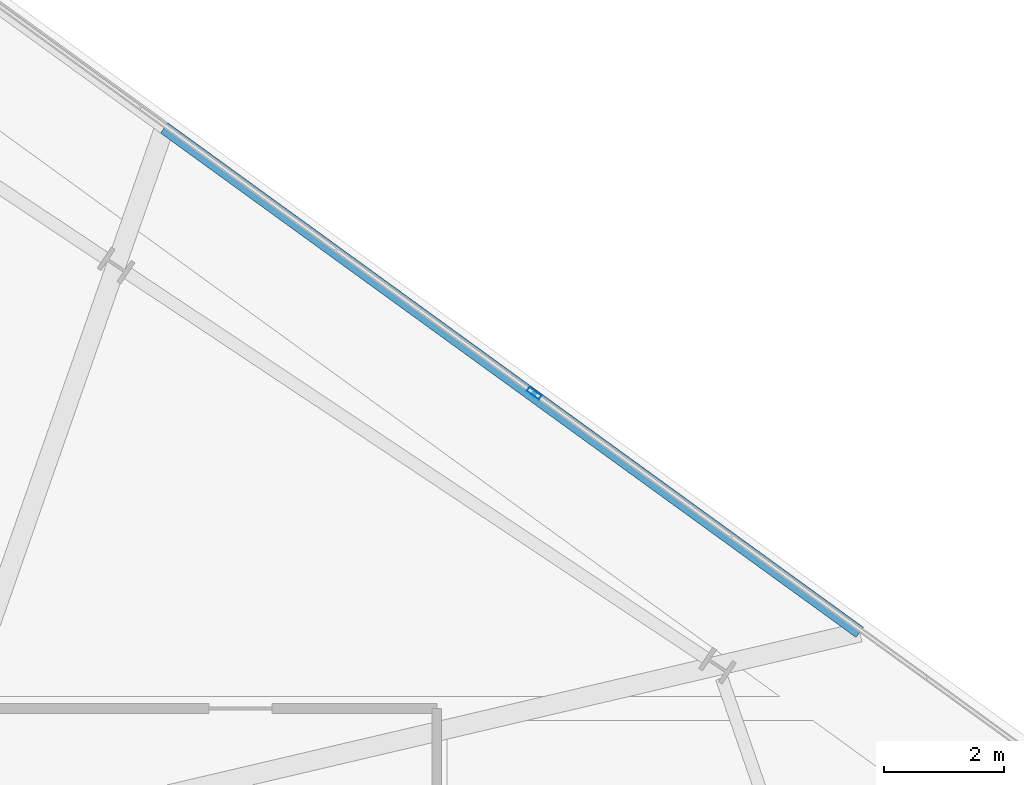
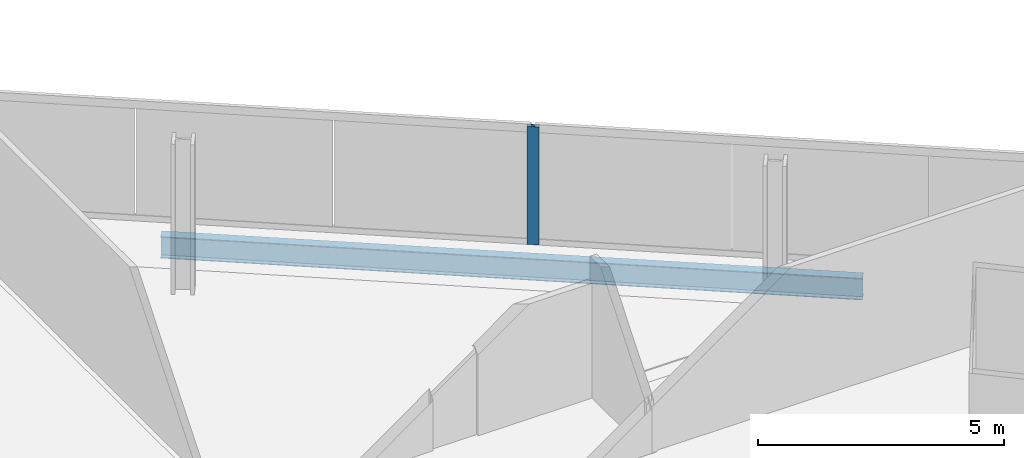
# One storey, part 18 of 29: 1 beam, 1 member, 1 element without a shape of its own.
"""IFC4 building model written with IfcOpenShell, lengths in metres."""

from ifc_helpers import new_model, si_unit, direction, frame, origin, origin_2d, place, context, subcontext, project, spatial, hollow_rectangle, i_section, extrude, material, material_profile, profile_set, type_object, element, aggregate, save


model = new_model("IFC4")

# Units and contexts
model_context = context("Model", 3, precision=1e-05, world=origin(), true_north=direction((0.0, 1.0)))
body_context = subcontext(model_context, "Body", "Model", "MODEL_VIEW")
ifc_project = project(units=[si_unit("LENGTHUNIT", "METRE"), si_unit("AREAUNIT", "SQUARE_METRE"), si_unit("VOLUMEUNIT", "CUBIC_METRE"), si_unit("PLANEANGLEUNIT", "RADIAN"), si_unit("MASSUNIT", "GRAM", prefix="KILO")], contexts=[model_context])

# Site, building, storey
site_placement = place(None, origin())
site = spatial("IfcSite", under=ifc_project, at=site_placement, CompositionType="ELEMENT")
building_placement = place(site_placement, origin())
building = spatial("IfcBuilding", under=site, at=building_placement, Name="Haldenkirk Collegiate Tower", CompositionType="ELEMENT")
storey_placement = place(building_placement, frame((0.0, 0.0, 209.699951171875)))
storey = spatial("IfcBuildingStorey", under=building, at=storey_placement, Name="L52", CompositionType="ELEMENT", Elevation=209.699951171875)

# Beam
ifc_material_1 = material(Name="Steel ASTM A992 Grade 50", Category="steel")
ifc_material_profile_1 = material_profile(ifc_material_1, i_section(OverallWidth=0.2099609375, OverallDepth=0.537109375, WebThickness=0.010986328125, FlangeThickness=0.017333984375, at=origin_2d()), Name="W21X68")
ifc_profile_set_1 = profile_set([ifc_material_profile_1], Name="Steel ASTM A992 Grade 50")
beam_type = type_object("IfcBeamType", Name="BM-SPANDREL-W21X68", PredefinedType="SPANDREL", material=ifc_profile_set_1)
beam_placement = place(storey_placement, frame((60.85498046875, 37.720703125, -0.54833984375), z_axis=(-0.809531520857, 0.587076414736, 0.0), x_axis=(-0.587076414736, -0.809531520857, 0.0)))
element("IfcBeam", 1, at=beam_placement, inside=storey, type_object=beam_type, Name="L52 outer facade edge beam 2A", PredefinedType="SPANDREL", context=body_context, shape_type="SweptSolid", body=[
    extrude(i_section(OverallWidth=0.2099609375, OverallDepth=0.537109375, WebThickness=0.010986328125, FlangeThickness=0.017333984375, at=origin_2d()), origin(), (0.0, 0.0, 1.0), 14.334228515625),
])

# Curtain wall, member
ifc_material_2 = material(Name="Anodised architectural bronze aluminium", Category="aluminium")
curtain_wall_type = type_object("IfcCurtainWallType", Name="CW-SYS1B-CONVEX-HI", PredefinedType="USERDEFINED", material=ifc_material_2)
curtain_wall_placement = place(storey_placement, origin())
curtain_wall = element("IfcCurtainWall", 2, at=curtain_wall_placement, inside=storey, type_object=curtain_wall_type, Name="L52 Upper tower high-wind convex bronze unitised curtain wall", ObjectType="UNITISED CURTAIN WALL", PredefinedType="USERDEFINED")
ifc_material_profile_2 = material_profile(ifc_material_2, hollow_rectangle(XDim=0.0849609375, YDim=0.25, WallThickness=0.0048828125, at=origin_2d()), Name="CW-MUL-1B")
ifc_profile_set_2 = profile_set([ifc_material_profile_2], Name="Anodised architectural bronze aluminium")
member_type = type_object("IfcMemberType", Name="CW-MUL-1B", PredefinedType="MULLION", material=ifc_profile_set_2)
member_placement = place(storey_placement, frame((55.42236328125, 41.7099609375, 0.0), z_axis=(0.0, 0.0, 1.0), x_axis=(0.587080258293, 0.809528733476, 0.0)))
member = element("IfcMember", 3, at=member_placement, type_object=member_type, Name="CW-1B mullion 3", PredefinedType="MULLION", context=body_context, shape_type="SweptSolid", body=[
    extrude(hollow_rectangle(XDim=0.0849609375, YDim=0.25, WallThickness=0.0048828125, at=origin_2d()), origin(), (0.0, 0.0, 1.0), 2.927978515625),
])
aggregate(curtain_wall, [member])

save(model, "model.ifc")
